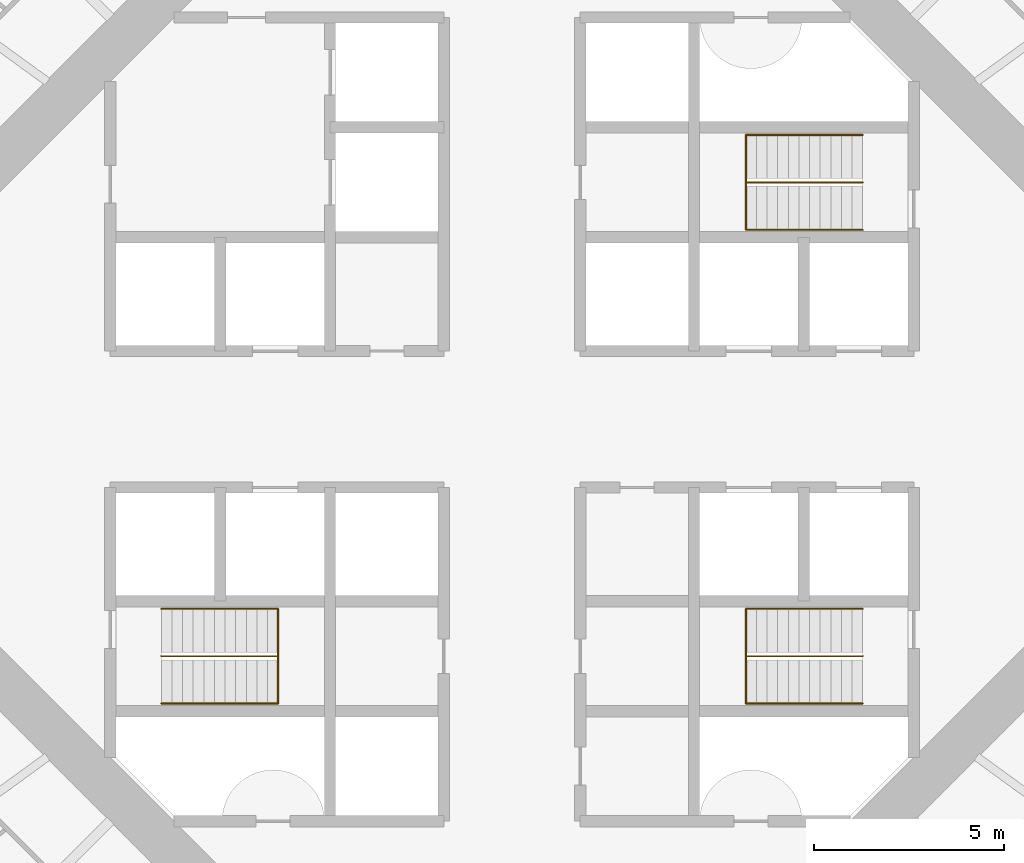
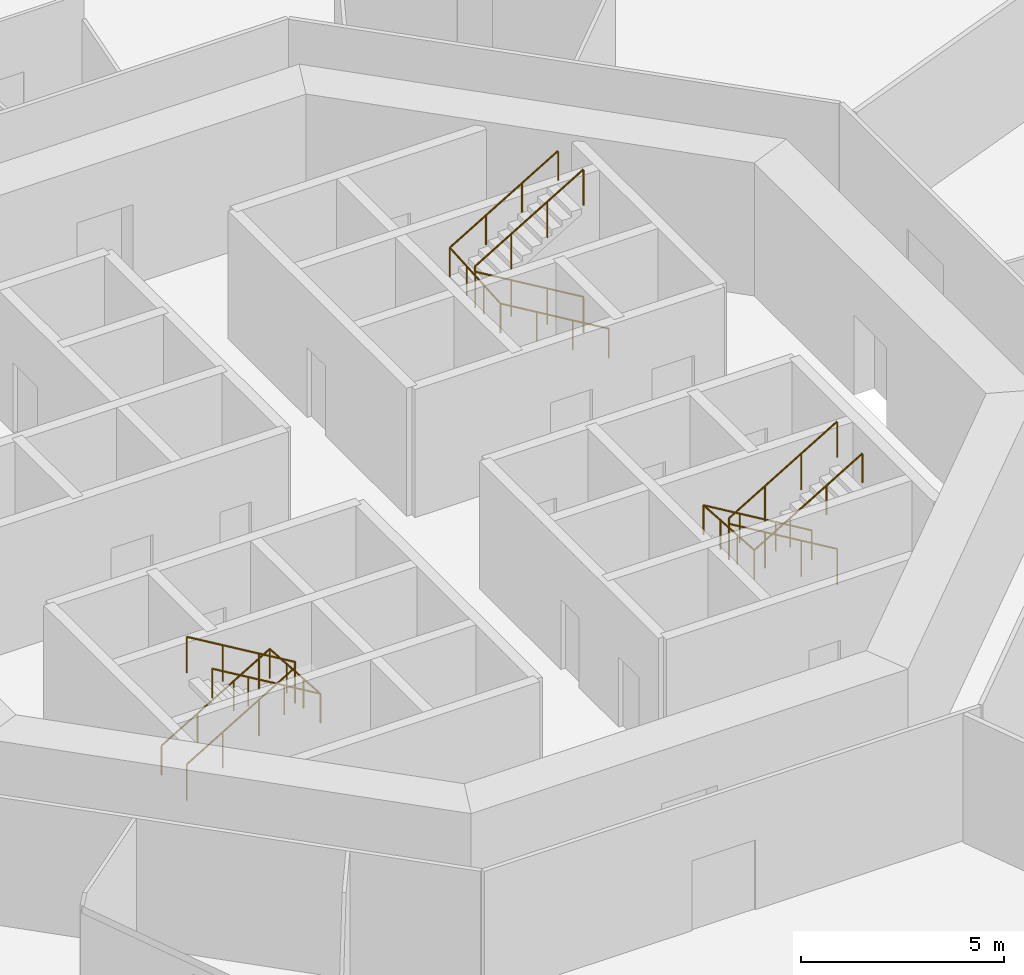
# One storey, part 13 of 13: 6 railings.
"""IFC4 building model written with IfcOpenShell, lengths in metres."""

from ifc_helpers import new_model, si_unit, direction, frame, origin, origin_2d, place, context, subcontext, project, spatial, circle, extrude, material, type_object, element, save


model = new_model("IFC4")

# Units and contexts
model_context = context("Model", 3, precision=1e-05, world=origin(), true_north=direction((0.0, 1.0)))
body_context = subcontext(model_context, "Body", "Model", "MODEL_VIEW")
ifc_project = project(units=[si_unit("LENGTHUNIT", "METRE"), si_unit("AREAUNIT", "SQUARE_METRE"), si_unit("VOLUMEUNIT", "CUBIC_METRE"), si_unit("PLANEANGLEUNIT", "RADIAN"), si_unit("MASSUNIT", "GRAM", prefix="KILO")], contexts=[model_context])

# Site, building, storey
site_placement = place(None, origin())
site = spatial("IfcSite", under=ifc_project, at=site_placement, CompositionType="ELEMENT")
building_placement = place(site_placement, origin())
building = spatial("IfcBuilding", under=site, at=building_placement, Name="Entoto Ring Tower", CompositionType="ELEMENT")
storey_placement = place(building_placement, frame((0.0, 0.0, 112.0)))
storey = spatial("IfcBuildingStorey", under=building, at=storey_placement, Name="L25", CompositionType="ELEMENT", Elevation=112.0)

# Railings
ifc_material_1 = material(Name="Steel S275", Category="steel")
railing_type_1 = type_object("IfcRailingType", Name="Stair guard 1100 mm steel", PredefinedType="GUARDRAIL", material=ifc_material_1)
railing_1_placement = place(storey_placement, frame((99.25, 86.25, 0.166748046875)))
element("IfcRailing", 1, at=railing_1_placement, inside=storey, type_object=railing_type_1, Name="Guard ST1", PredefinedType="GUARDRAIL", context=body_context, shape_type="SweptSolid", body=[
    extrude(circle(Radius=0.02392578125, at=origin_2d()), frame((0.0, 0.0, 1.076171875), z_axis=(-0.859308565015, 0.0, 0.511457515432), x_axis=(0.0, -1.0, 0.0)), (0.0, 0.0, 1.0), 3.58447265625),
    extrude(circle(Radius=0.02392578125, at=origin_2d()), frame((-3.080078125, 0.0, 2.9091796875), z_axis=(0.0, 0.0, 1.0), x_axis=(1.0, 0.0, 0.0)), (0.0, 0.0, 1.0), 0.166748046875),
    extrude(circle(Radius=0.02392578125, at=origin_2d()), frame((-3.080078125, 0.0, 3.076171875), z_axis=(0.859308565015, 0.0, 0.511457515432), x_axis=(0.0, 1.0, 0.0)), (0.0, 0.0, 1.0), 3.58447265625),
    extrude(circle(Radius=0.02099609375, at=origin_2d()), origin(), (0.0, 0.0, 1.0), 1.052001953125),
    extrude(circle(Radius=0.02099609375, at=origin_2d()), frame((-1.026611328125, 0.0, 0.611083984375)), (0.0, 0.0, 1.0), 1.052001953125),
    extrude(circle(Radius=0.02099609375, at=origin_2d()), frame((-2.053466796875, 0.0, 1.22216796875)), (0.0, 0.0, 1.0), 1.052001953125),
    extrude(circle(Radius=0.02099609375, at=origin_2d()), frame((-3.080078125, 0.0, 1.833251953125)), (0.0, 0.0, 1.0), 1.052001953125),
    extrude(circle(Radius=0.02099609375, at=origin_2d()), frame((-3.080078125, 0.0, 2.0)), (0.0, 0.0, 1.0), 1.052001953125),
    extrude(circle(Radius=0.02099609375, at=origin_2d()), frame((-2.053466796875, 0.0, 2.611083984375)), (0.0, 0.0, 1.0), 1.052001953125),
    extrude(circle(Radius=0.02099609375, at=origin_2d()), frame((-1.026611328125, 0.0, 3.22216796875)), (0.0, 0.0, 1.0), 1.052001953125),
    extrude(circle(Radius=0.02099609375, at=origin_2d()), frame((0.0, 0.0, 3.833251953125)), (0.0, 0.0, 1.0), 1.052001953125),
])
railing_2_placement = place(storey_placement, frame((80.75, 73.75, 0.166748046875)))
element("IfcRailing", 2, at=railing_2_placement, inside=storey, type_object=railing_type_1, Name="Guard ST2", PredefinedType="GUARDRAIL", context=body_context, shape_type="SweptSolid", body=[
    extrude(circle(Radius=0.02392578125, at=origin_2d()), frame((0.0, 0.0, 1.076171875), z_axis=(0.859308565015, 0.0, 0.511457515432), x_axis=(0.0, 1.0, 0.0)), (0.0, 0.0, 1.0), 3.58447265625),
    extrude(circle(Radius=0.02392578125, at=origin_2d()), frame((3.080078125, 0.0, 2.9091796875), z_axis=(0.0, 0.0, 1.0), x_axis=(1.0, 0.0, 0.0)), (0.0, 0.0, 1.0), 0.166748046875),
    extrude(circle(Radius=0.02392578125, at=origin_2d()), frame((3.080078125, 0.0, 3.076171875), z_axis=(-0.859308565015, 0.0, 0.511457515432), x_axis=(0.0, -1.0, 0.0)), (0.0, 0.0, 1.0), 3.58447265625),
    extrude(circle(Radius=0.02099609375, at=origin_2d()), origin(), (0.0, 0.0, 1.0), 1.052001953125),
    extrude(circle(Radius=0.02099609375, at=origin_2d()), frame((1.026611328125, 0.0, 0.611083984375)), (0.0, 0.0, 1.0), 1.052001953125),
    extrude(circle(Radius=0.02099609375, at=origin_2d()), frame((2.053466796875, 0.0, 1.22216796875)), (0.0, 0.0, 1.0), 1.052001953125),
    extrude(circle(Radius=0.02099609375, at=origin_2d()), frame((3.080078125, 0.0, 1.833251953125)), (0.0, 0.0, 1.0), 1.052001953125),
    extrude(circle(Radius=0.02099609375, at=origin_2d()), frame((3.080078125, 0.0, 2.0)), (0.0, 0.0, 1.0), 1.052001953125),
    extrude(circle(Radius=0.02099609375, at=origin_2d()), frame((2.053466796875, 0.0, 2.611083984375)), (0.0, 0.0, 1.0), 1.052001953125),
    extrude(circle(Radius=0.02099609375, at=origin_2d()), frame((1.026611328125, 0.0, 3.22216796875)), (0.0, 0.0, 1.0), 1.052001953125),
    extrude(circle(Radius=0.02099609375, at=origin_2d()), frame((0.0, 0.0, 3.833251953125)), (0.0, 0.0, 1.0), 1.052001953125),
])
railing_3_placement = place(storey_placement, frame((99.25, 73.75, 0.166748046875)))
element("IfcRailing", 3, at=railing_3_placement, inside=storey, type_object=railing_type_1, Name="Guard ST3", PredefinedType="GUARDRAIL", context=body_context, shape_type="SweptSolid", body=[
    extrude(circle(Radius=0.02392578125, at=origin_2d()), frame((0.0, 0.0, 1.076171875), z_axis=(-0.859308565015, 0.0, 0.511457515432), x_axis=(0.0, -1.0, 0.0)), (0.0, 0.0, 1.0), 3.58447265625),
    extrude(circle(Radius=0.02392578125, at=origin_2d()), frame((-3.080078125, 0.0, 2.9091796875), z_axis=(0.0, 0.0, 1.0), x_axis=(1.0, 0.0, 0.0)), (0.0, 0.0, 1.0), 0.166748046875),
    extrude(circle(Radius=0.02392578125, at=origin_2d()), frame((-3.080078125, 0.0, 3.076171875), z_axis=(0.859308565015, 0.0, 0.511457515432), x_axis=(0.0, 1.0, 0.0)), (0.0, 0.0, 1.0), 3.58447265625),
    extrude(circle(Radius=0.02099609375, at=origin_2d()), origin(), (0.0, 0.0, 1.0), 1.052001953125),
    extrude(circle(Radius=0.02099609375, at=origin_2d()), frame((-1.026611328125, 0.0, 0.611083984375)), (0.0, 0.0, 1.0), 1.052001953125),
    extrude(circle(Radius=0.02099609375, at=origin_2d()), frame((-2.053466796875, 0.0, 1.22216796875)), (0.0, 0.0, 1.0), 1.052001953125),
    extrude(circle(Radius=0.02099609375, at=origin_2d()), frame((-3.080078125, 0.0, 1.833251953125)), (0.0, 0.0, 1.0), 1.052001953125),
    extrude(circle(Radius=0.02099609375, at=origin_2d()), frame((-3.080078125, 0.0, 2.0)), (0.0, 0.0, 1.0), 1.052001953125),
    extrude(circle(Radius=0.02099609375, at=origin_2d()), frame((-2.053466796875, 0.0, 2.611083984375)), (0.0, 0.0, 1.0), 1.052001953125),
    extrude(circle(Radius=0.02099609375, at=origin_2d()), frame((-1.026611328125, 0.0, 3.22216796875)), (0.0, 0.0, 1.0), 1.052001953125),
    extrude(circle(Radius=0.02099609375, at=origin_2d()), frame((0.0, 0.0, 3.833251953125)), (0.0, 0.0, 1.0), 1.052001953125),
])
ifc_material_2 = material(Name="Steel S275", Category="steel")
railing_type_2 = type_object("IfcRailingType", Name="Stair handrail 900 mm steel", PredefinedType="HANDRAIL", material=ifc_material_2)
railing_4_placement = place(storey_placement, frame((99.25, 85.0, 0.166748046875)))
element("IfcRailing", 4, at=railing_4_placement, inside=storey, type_object=railing_type_2, Name="Handrail ST1", PredefinedType="HANDRAIL", context=body_context, shape_type="SweptSolid", body=[
    extrude(circle(Radius=0.02392578125, at=origin_2d()), frame((0.0, 0.0, 0.8759765625), z_axis=(-0.859308565015, 0.0, 0.511457515432), x_axis=(0.0, -1.0, 0.0)), (0.0, 0.0, 1.0), 3.58447265625),
    extrude(circle(Radius=0.02392578125, at=origin_2d()), frame((-3.080078125, 0.0, 2.708984375), z_axis=(0.0, 0.997783001586, 0.066551346688), x_axis=(-1.0, 0.0, 0.0)), (0.0, 0.0, 1.0), 2.505615234375),
    extrude(circle(Radius=0.02392578125, at=origin_2d()), frame((-3.080078125, 2.5, 2.8759765625), z_axis=(0.859308565015, 0.0, 0.511457515432), x_axis=(0.0, 1.0, 0.0)), (0.0, 0.0, 1.0), 3.58447265625),
    extrude(circle(Radius=0.02099609375, at=origin_2d()), origin(), (0.0, 0.0, 1.0), 0.851806640625),
    extrude(circle(Radius=0.02099609375, at=origin_2d()), frame((-1.026611328125, 0.0, 0.611083984375)), (0.0, 0.0, 1.0), 0.851806640625),
    extrude(circle(Radius=0.02099609375, at=origin_2d()), frame((-2.053466796875, 0.0, 1.22216796875)), (0.0, 0.0, 1.0), 0.851806640625),
    extrude(circle(Radius=0.02099609375, at=origin_2d()), frame((-3.080078125, 0.0, 1.833251953125)), (0.0, 0.0, 1.0), 0.851806640625),
    extrude(circle(Radius=0.02099609375, at=origin_2d()), frame((-3.080078125, 0.833251953125, 1.888916015625)), (0.0, 0.0, 1.0), 0.851806640625),
    extrude(circle(Radius=0.02099609375, at=origin_2d()), frame((-3.080078125, 1.666748046875, 1.9443359375)), (0.0, 0.0, 1.0), 0.851806640625),
    extrude(circle(Radius=0.02099609375, at=origin_2d()), frame((-3.080078125, 2.5, 2.0)), (0.0, 0.0, 1.0), 0.851806640625),
    extrude(circle(Radius=0.02099609375, at=origin_2d()), frame((-2.053466796875, 2.5, 2.611083984375)), (0.0, 0.0, 1.0), 0.851806640625),
    extrude(circle(Radius=0.02099609375, at=origin_2d()), frame((-1.026611328125, 2.5, 3.22216796875)), (0.0, 0.0, 1.0), 0.851806640625),
    extrude(circle(Radius=0.02099609375, at=origin_2d()), frame((0.0, 2.5, 3.833251953125)), (0.0, 0.0, 1.0), 0.851806640625),
])
railing_5_placement = place(storey_placement, frame((80.75, 75.0, 0.166748046875)))
element("IfcRailing", 5, at=railing_5_placement, inside=storey, type_object=railing_type_2, Name="Handrail ST2", PredefinedType="HANDRAIL", context=body_context, shape_type="SweptSolid", body=[
    extrude(circle(Radius=0.02392578125, at=origin_2d()), frame((0.0, 0.0, 0.8759765625), z_axis=(0.859308565015, 0.0, 0.511457515432), x_axis=(0.0, 1.0, 0.0)), (0.0, 0.0, 1.0), 3.58447265625),
    extrude(circle(Radius=0.02392578125, at=origin_2d()), frame((3.080078125, 0.0, 2.708984375), z_axis=(0.0, -0.997783001586, 0.066551346688), x_axis=(1.0, 0.0, 0.0)), (0.0, 0.0, 1.0), 2.505615234375),
    extrude(circle(Radius=0.02392578125, at=origin_2d()), frame((3.080078125, -2.5, 2.8759765625), z_axis=(-0.859308565015, 0.0, 0.511457515432), x_axis=(0.0, -1.0, 0.0)), (0.0, 0.0, 1.0), 3.58447265625),
    extrude(circle(Radius=0.02099609375, at=origin_2d()), origin(), (0.0, 0.0, 1.0), 0.851806640625),
    extrude(circle(Radius=0.02099609375, at=origin_2d()), frame((1.026611328125, 0.0, 0.611083984375)), (0.0, 0.0, 1.0), 0.851806640625),
    extrude(circle(Radius=0.02099609375, at=origin_2d()), frame((2.053466796875, 0.0, 1.22216796875)), (0.0, 0.0, 1.0), 0.851806640625),
    extrude(circle(Radius=0.02099609375, at=origin_2d()), frame((3.080078125, 0.0, 1.833251953125)), (0.0, 0.0, 1.0), 0.851806640625),
    extrude(circle(Radius=0.02099609375, at=origin_2d()), frame((3.080078125, -0.833251953125, 1.888916015625)), (0.0, 0.0, 1.0), 0.851806640625),
    extrude(circle(Radius=0.02099609375, at=origin_2d()), frame((3.080078125, -1.666748046875, 1.9443359375)), (0.0, 0.0, 1.0), 0.851806640625),
    extrude(circle(Radius=0.02099609375, at=origin_2d()), frame((3.080078125, -2.5, 2.0)), (0.0, 0.0, 1.0), 0.851806640625),
    extrude(circle(Radius=0.02099609375, at=origin_2d()), frame((2.053466796875, -2.5, 2.611083984375)), (0.0, 0.0, 1.0), 0.851806640625),
    extrude(circle(Radius=0.02099609375, at=origin_2d()), frame((1.026611328125, -2.5, 3.22216796875)), (0.0, 0.0, 1.0), 0.851806640625),
    extrude(circle(Radius=0.02099609375, at=origin_2d()), frame((0.0, -2.5, 3.833251953125)), (0.0, 0.0, 1.0), 0.851806640625),
])
railing_6_placement = place(storey_placement, frame((99.25, 75.0, 0.166748046875)))
element("IfcRailing", 6, at=railing_6_placement, inside=storey, type_object=railing_type_2, Name="Handrail ST3", PredefinedType="HANDRAIL", context=body_context, shape_type="SweptSolid", body=[
    extrude(circle(Radius=0.02392578125, at=origin_2d()), frame((0.0, 0.0, 0.8759765625), z_axis=(-0.859308565015, 0.0, 0.511457515432), x_axis=(0.0, -1.0, 0.0)), (0.0, 0.0, 1.0), 3.58447265625),
    extrude(circle(Radius=0.02392578125, at=origin_2d()), frame((-3.080078125, 0.0, 2.708984375), z_axis=(0.0, -0.997783001586, 0.066551346688), x_axis=(1.0, 0.0, 0.0)), (0.0, 0.0, 1.0), 2.505615234375),
    extrude(circle(Radius=0.02392578125, at=origin_2d()), frame((-3.080078125, -2.5, 2.8759765625), z_axis=(0.859308565015, 0.0, 0.511457515432), x_axis=(0.0, 1.0, 0.0)), (0.0, 0.0, 1.0), 3.58447265625),
    extrude(circle(Radius=0.02099609375, at=origin_2d()), origin(), (0.0, 0.0, 1.0), 0.851806640625),
    extrude(circle(Radius=0.02099609375, at=origin_2d()), frame((-1.026611328125, 0.0, 0.611083984375)), (0.0, 0.0, 1.0), 0.851806640625),
    extrude(circle(Radius=0.02099609375, at=origin_2d()), frame((-2.053466796875, 0.0, 1.22216796875)), (0.0, 0.0, 1.0), 0.851806640625),
    extrude(circle(Radius=0.02099609375, at=origin_2d()), frame((-3.080078125, 0.0, 1.833251953125)), (0.0, 0.0, 1.0), 0.851806640625),
    extrude(circle(Radius=0.02099609375, at=origin_2d()), frame((-3.080078125, -0.833251953125, 1.888916015625)), (0.0, 0.0, 1.0), 0.851806640625),
    extrude(circle(Radius=0.02099609375, at=origin_2d()), frame((-3.080078125, -1.666748046875, 1.9443359375)), (0.0, 0.0, 1.0), 0.851806640625),
    extrude(circle(Radius=0.02099609375, at=origin_2d()), frame((-3.080078125, -2.5, 2.0)), (0.0, 0.0, 1.0), 0.851806640625),
    extrude(circle(Radius=0.02099609375, at=origin_2d()), frame((-2.053466796875, -2.5, 2.611083984375)), (0.0, 0.0, 1.0), 0.851806640625),
    extrude(circle(Radius=0.02099609375, at=origin_2d()), frame((-1.026611328125, -2.5, 3.22216796875)), (0.0, 0.0, 1.0), 0.851806640625),
    extrude(circle(Radius=0.02099609375, at=origin_2d()), frame((0.0, -2.5, 3.833251953125)), (0.0, 0.0, 1.0), 0.851806640625),
])

save(model, "model.ifc")
